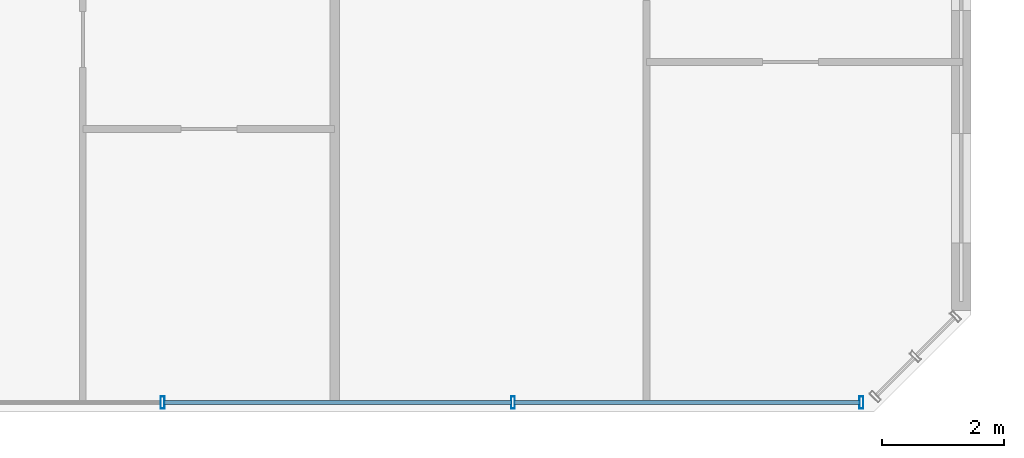
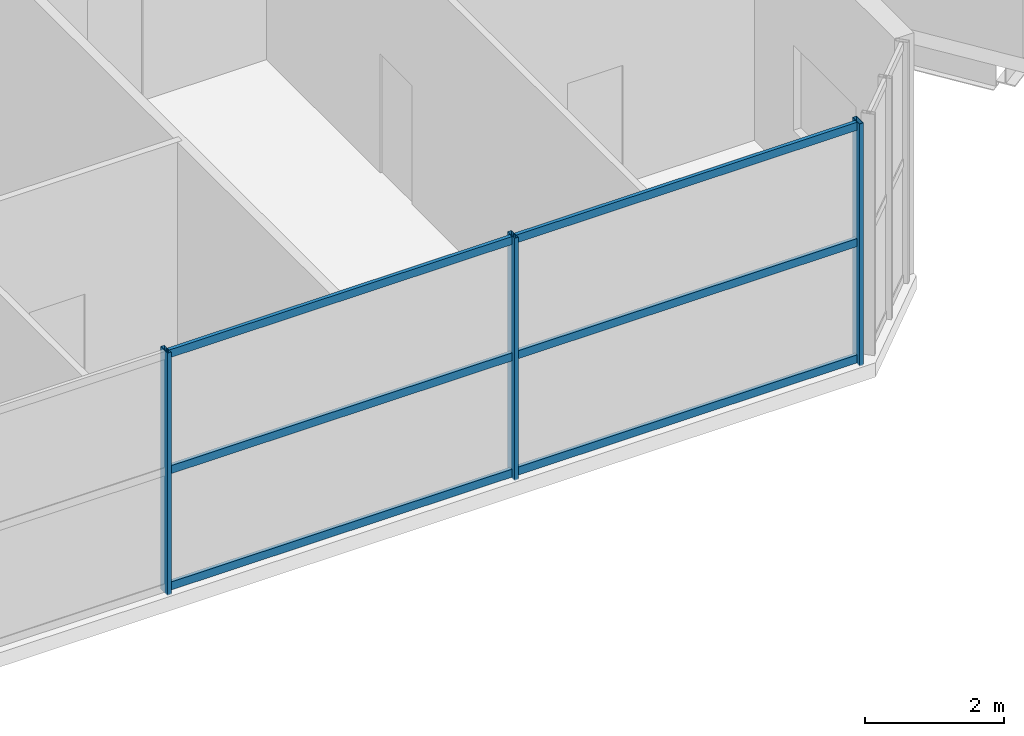
# One storey, part 8 of 34: 9 members, 1 element without a shape of its own.
"""IFC4 building model written with IfcOpenShell, lengths in metres."""

from ifc_helpers import new_model, si_unit, direction, frame, origin, origin_2d, place, context, subcontext, project, spatial, hollow_rectangle, extrude, source, transform, mapped, material, material_profile, profile_set, type_object, element, aggregate, save


model = new_model("IFC4")

# Units and contexts
model_context = context("Model", 3, precision=1e-05, world=origin(), true_north=direction((0.0, 1.0)))
body_context = subcontext(model_context, "Body", "Model", "MODEL_VIEW")
ifc_project = project(units=[si_unit("LENGTHUNIT", "METRE"), si_unit("AREAUNIT", "SQUARE_METRE"), si_unit("VOLUMEUNIT", "CUBIC_METRE"), si_unit("PLANEANGLEUNIT", "RADIAN"), si_unit("MASSUNIT", "GRAM", prefix="KILO")], contexts=[model_context])

# Site, building, storey
site_placement = place(None, origin())
site = spatial("IfcSite", under=ifc_project, at=site_placement, CompositionType="ELEMENT")
building_placement = place(site_placement, origin())
building = spatial("IfcBuilding", under=site, at=building_placement, Name="Tlacorven Tower", CompositionType="ELEMENT")
storey_placement = place(building_placement, frame((0.0, 0.0, 174.89990234375)))
storey = spatial("IfcBuildingStorey", under=building, at=storey_placement, Name="L44", CompositionType="ELEMENT", Elevation=174.89990234375)

# Curtain wall, members
ifc_material_1 = material(Name="Dark solar low-E double glazing in aluminium frame", Category="aluminium")
curtain_wall_type = type_object("IfcCurtainWallType", Name="CW-TWR-MID", PredefinedType="USERDEFINED", material=ifc_material_1)
curtain_wall_placement = place(storey_placement, origin())
curtain_wall = element("IfcCurtainWall", 1, at=curtain_wall_placement, inside=storey, type_object=curtain_wall_type, Name="L44 CW-TWR-MID Curtain Wall 203", ObjectType="UNITISED CURTAIN WALL", PredefinedType="USERDEFINED")
ifc_material_2 = material(Name="Aluminium 6063-T6 anodised", Category="aluminium")
ifc_material_profile_1 = material_profile(ifc_material_2, hollow_rectangle(XDim=0.06005859375, YDim=0.139892578125, WallThickness=0.00390625, at=origin_2d()), Name="ALU TRANSOM 60X140")
ifc_profile_set_1 = profile_set([ifc_material_profile_1], Name="Aluminium 6063-T6 anodised")
member_type_1 = type_object("IfcMemberType", Name="CWT-02", PredefinedType="USERDEFINED", material=ifc_profile_set_1)
shared_shape_1 = source(origin(), body_context, "Body", "SweptSolid", [
    extrude(hollow_rectangle(XDim=0.06005859375, YDim=0.139892578125, WallThickness=0.00390625, at=origin_2d()), origin(), (0.0, 0.0, 1.0), 5.682373046875),
])
member_1_placement = place(storey_placement, frame((50.580810546875, 1.9599609375, 0.070068359375), z_axis=(-1.0, 0.0, 0.0), x_axis=(0.0, -1.0, 0.0)))
member_1 = element("IfcMember", 2, at=member_1_placement, type_object=member_type_1, Name="CW-L44-203 Transom 1", ObjectType="TRANSOM", PredefinedType="USERDEFINED", context=body_context, shape_type="MappedRepresentation", body=[
    mapped(shared_shape_1, transform((0.0, 0.0, 0.0), scale=1.0)),
])
member_2_placement = place(storey_placement, frame((50.580810546875, 1.9599609375, 2.110107421875), z_axis=(-1.0, 0.0, 0.0), x_axis=(0.0, -1.0, 0.0)))
member_2 = element("IfcMember", 3, at=member_2_placement, type_object=member_type_1, Name="CW-L44-203 Transom 2", ObjectType="TRANSOM", PredefinedType="USERDEFINED", context=body_context, shape_type="MappedRepresentation", body=[
    mapped(shared_shape_1, transform((0.0, 0.0, 0.0), scale=1.0)),
])
member_3_placement = place(storey_placement, frame((50.580810546875, 1.9599609375, 4.150146484375), z_axis=(-1.0, 0.0, 0.0), x_axis=(0.0, -1.0, 0.0)))
member_3 = element("IfcMember", 4, at=member_3_placement, type_object=member_type_1, Name="CW-L44-203 Transom 3", ObjectType="TRANSOM", PredefinedType="USERDEFINED", context=body_context, shape_type="MappedRepresentation", body=[
    mapped(shared_shape_1, transform((0.0, 0.0, 0.0), scale=1.0)),
])
shared_shape_2 = source(origin(), body_context, "Body", "SweptSolid", [
    extrude(hollow_rectangle(XDim=0.06005859375, YDim=0.139892578125, WallThickness=0.00390625, at=origin_2d()), origin(), (0.0, 0.0, 1.0), 5.71484375),
])
member_4_placement = place(storey_placement, frame((44.857421875, 1.9599609375, 0.070068359375), z_axis=(-1.0, 0.0, 0.0), x_axis=(0.0, -1.0, 0.0)))
member_4 = element("IfcMember", 5, at=member_4_placement, type_object=member_type_1, Name="CW-L44-203 Transom 4", ObjectType="TRANSOM", PredefinedType="USERDEFINED", context=body_context, shape_type="MappedRepresentation", body=[
    mapped(shared_shape_2, transform((0.0, 0.0, 0.0), scale=1.0)),
])
member_5_placement = place(storey_placement, frame((44.857421875, 1.9599609375, 2.110107421875), z_axis=(-1.0, 0.0, 0.0), x_axis=(0.0, -1.0, 0.0)))
member_5 = element("IfcMember", 6, at=member_5_placement, type_object=member_type_1, Name="CW-L44-203 Transom 5", ObjectType="TRANSOM", PredefinedType="USERDEFINED", context=body_context, shape_type="MappedRepresentation", body=[
    mapped(shared_shape_2, transform((0.0, 0.0, 0.0), scale=1.0)),
])
member_6_placement = place(storey_placement, frame((44.857421875, 1.9599609375, 4.150146484375), z_axis=(-1.0, 0.0, 0.0), x_axis=(0.0, -1.0, 0.0)))
member_6 = element("IfcMember", 7, at=member_6_placement, type_object=member_type_1, Name="CW-L44-203 Transom 6", ObjectType="TRANSOM", PredefinedType="USERDEFINED", context=body_context, shape_type="MappedRepresentation", body=[
    mapped(shared_shape_2, transform((0.0, 0.0, 0.0), scale=1.0)),
])
ifc_material_profile_2 = material_profile(ifc_material_2, hollow_rectangle(XDim=0.06494140625, YDim=0.199951171875, WallThickness=0.00439453125, at=origin_2d()), Name="ALU MULLION 65X200")
ifc_profile_set_2 = profile_set([ifc_material_profile_2], Name="Aluminium 6063-T6 anodised")
member_type_2 = type_object("IfcMemberType", Name="CWM-02", PredefinedType="MULLION", material=ifc_profile_set_2)
shared_shape_3 = source(origin(), body_context, "Body", "SweptSolid", [
    extrude(hollow_rectangle(XDim=0.06494140625, YDim=0.199951171875, WallThickness=0.00439453125, at=origin_2d()), origin(), (0.0, 0.0, 1.0), 4.25),
])
member_7_placement = place(storey_placement, frame((50.601318359375, 1.9599609375, -0.02001953125), z_axis=(0.0, 0.0, 1.0), x_axis=(-1.0, 0.0, 0.0)))
member_7 = element("IfcMember", 8, at=member_7_placement, type_object=member_type_2, Name="CW-L44-203 Mullion 1", PredefinedType="MULLION", context=body_context, shape_type="MappedRepresentation", body=[
    mapped(shared_shape_3, transform((0.0, 0.0, 0.0), scale=1.0)),
])
member_8_placement = place(storey_placement, frame((44.8779296875, 1.9599609375, -0.02001953125), z_axis=(0.0, 0.0, 1.0), x_axis=(-1.0, 0.0, 0.0)))
member_8 = element("IfcMember", 9, at=member_8_placement, type_object=member_type_2, Name="CW-L44-203 Mullion 2", PredefinedType="MULLION", context=body_context, shape_type="MappedRepresentation", body=[
    mapped(shared_shape_3, transform((0.0, 0.0, 0.0), scale=1.0)),
])
member_9_placement = place(storey_placement, frame((39.1220703125, 1.9599609375, -0.02001953125), z_axis=(0.0, 0.0, 1.0), x_axis=(-1.0, 0.0, 0.0)))
member_9 = element("IfcMember", 10, at=member_9_placement, type_object=member_type_2, Name="CW-L44-203 Mullion 3", PredefinedType="MULLION", context=body_context, shape_type="MappedRepresentation", body=[
    mapped(shared_shape_3, transform((0.0, 0.0, 0.0), scale=1.0)),
])
aggregate(curtain_wall, [member_7, member_8, member_9, member_1, member_2, member_3, member_4, member_5, member_6])

save(model, "model.ifc")
